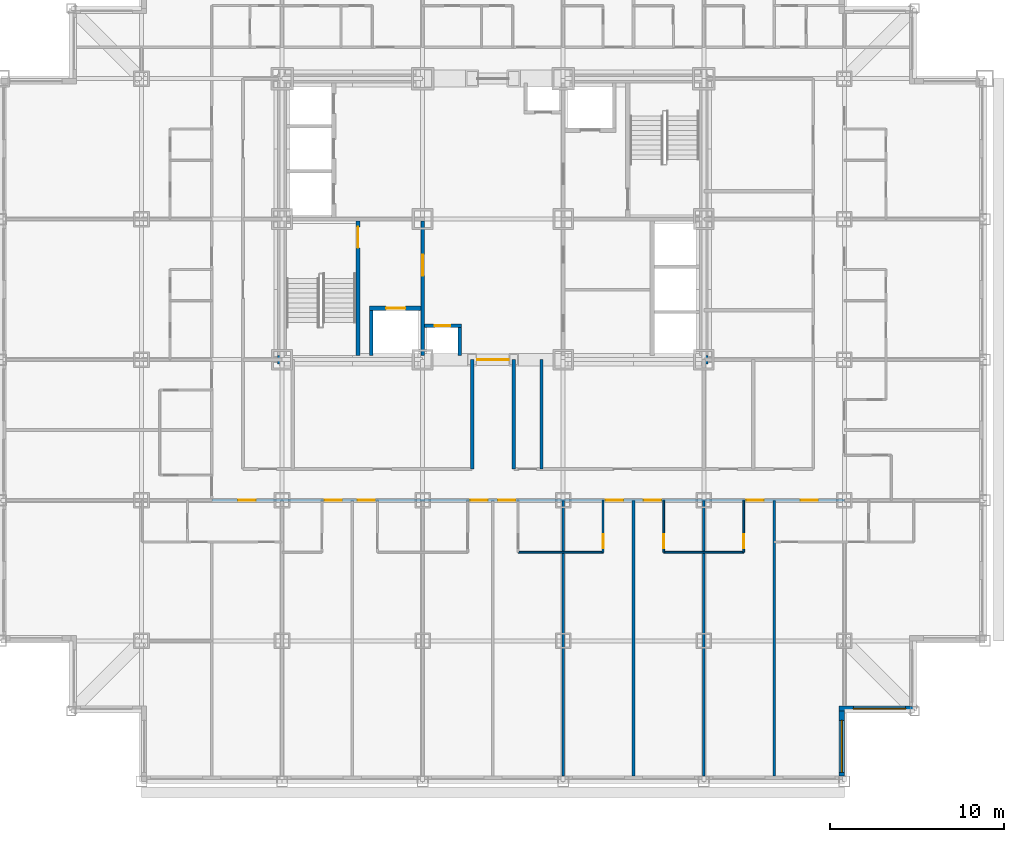
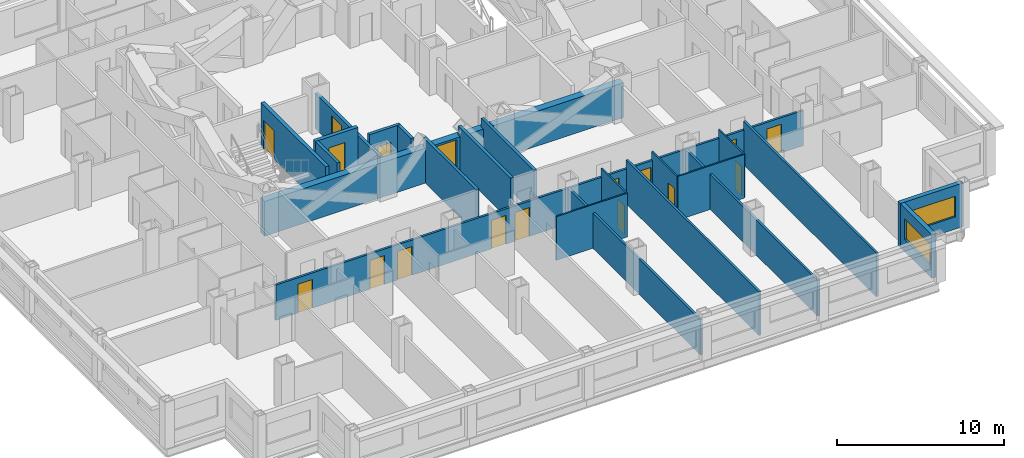
# One storey, part 5 of 11: 22 walls, 17 doors, 2 windows, 19 openings.
"""IFC4 building model written with IfcOpenShell, lengths in metres."""

from ifc_helpers import new_model, si_unit, direction, frame, frame_2d, origin, place, context, subcontext, project, spatial, rectangle, extrude, material, layer, layer_set, type_object, element, fill, save


model = new_model("IFC4")

# Units and contexts
model_context = context("Model", 3, precision=1e-05, world=origin(), true_north=direction((0.0, 1.0)))
body_context = subcontext(model_context, "Body", "Model", "MODEL_VIEW")
ifc_project = project(units=[si_unit("LENGTHUNIT", "METRE"), si_unit("AREAUNIT", "SQUARE_METRE"), si_unit("VOLUMEUNIT", "CUBIC_METRE"), si_unit("PLANEANGLEUNIT", "RADIAN"), si_unit("MASSUNIT", "GRAM", prefix="KILO")], contexts=[model_context])

# Site, building, storey
site_placement = place(None, origin())
site = spatial("IfcSite", under=ifc_project, at=site_placement, CompositionType="ELEMENT")
building_placement = place(site_placement, origin())
building = spatial("IfcBuilding", under=site, at=building_placement, Name="Kopane Lantern Tower", CompositionType="ELEMENT")
storey_placement = place(building_placement, frame((0.0, 0.0, 73.800048828125)))
storey = spatial("IfcBuildingStorey", under=building, at=storey_placement, Name="L18", CompositionType="ELEMENT", Elevation=73.800048828125)

# Wall
ifc_material_1 = material(Name="Moisture-resistant board on steel studs", Category="steel")
ifc_layer_1 = layer(ifc_material_1, 0.10009765625)
ifc_layer_set_1 = layer_set([ifc_layer_1], Name="BATHROOM WALL 100")
wall_type_1 = type_object("IfcWallType", Name="BATHROOM WALL 100", PredefinedType="PARTITIONING", material=ifc_layer_set_1)
wall_1_placement = place(storey_placement, frame((29.800048828125, 13.199951171875, 0.0), z_axis=(0.0, 0.0, 1.0), x_axis=(1.0, 0.0, 0.0)))
element("IfcWall", 1, at=wall_1_placement, inside=storey, type_object=wall_type_1, Name="Bathroom Wall 100 L18", PredefinedType="PARTITIONING", context=body_context, shape_type="SweptSolid", body=[
    extrude(rectangle(XDim=4.89990234375, YDim=0.10009765625, at=frame_2d((2.449951171875, 0.0))), origin(), (0.0, 0.0, 1.0), 3.18994140625),
])

# Wall, opening, door
wall_2_placement = place(storey_placement, frame((34.699951171875, 16.199951171875, 0.0), z_axis=(0.0, 0.0, 1.0), x_axis=(0.0, -1.0, 0.0)))
wall_2 = element("IfcWall", 2, at=wall_2_placement, inside=storey, type_object=wall_type_1, Name="Bathroom Wall 100 L18", PredefinedType="PARTITIONING", context=body_context, shape_type="SweptSolid", body=[
    extrude(rectangle(XDim=3.0, YDim=0.10009765625, at=frame_2d((1.5, 0.0))), origin(), (0.0, 0.0, 1.0), 3.18994140625),
])
opening_1_placement = place(wall_2_placement, frame((1.949951171875, 0.0, 0.0)))
opening_1 = element("IfcOpeningElement", 3, at=opening_1_placement, cuts=wall_2, Name="Opening L18-021", PredefinedType="OPENING", context=body_context, shape_type="SweptSolid", body=[
    extrude(rectangle(XDim=0.800048828125, YDim=2.10009765625, at=frame_2d((0.39990234375, 1.050048828125))), frame((0.0, 0.06005859375, 0.0), z_axis=(0.0, -1.0, 0.0), x_axis=(1.0, 0.0, 0.0)), (0.0, 0.0, 1.0), 0.1201171875),
])
ifc_material_2 = material(Name="Timber door set", Category="wood")
door_type_1 = type_object("IfcDoorType", Name="DOOR D2 800x2100", OperationType="SINGLE_SWING_LEFT", PredefinedType="DOOR", material=ifc_material_2)
door_1_placement = place(opening_1_placement, origin())
door_1 = element("IfcDoor", 4, at=door_1_placement, inside=storey, type_object=door_type_1, Name="Door L18-021", OperationType="SINGLE_SWING_LEFT", OverallHeight=2.10009765625, OverallWidth=0.800048828125, PredefinedType="DOOR", context=body_context, shape_type="SweptSolid", body=[
    extrude(rectangle(XDim=0.800048828125, YDim=2.10009765625, at=frame_2d((0.39990234375, 1.050048828125))), frame((0.0, 0.02490234375, 0.0), z_axis=(0.0, -1.0, 0.0), x_axis=(1.0, 0.0, 0.0)), (0.0, 0.0, 1.0), 0.050048828125),
])
fill(opening_1, door_1)

# Wall
wall_3_placement = place(storey_placement, frame((38.199951171875, 13.199951171875, 0.0), z_axis=(0.0, 0.0, 1.0), x_axis=(1.0, 0.0, 0.0)))
element("IfcWall", 5, at=wall_3_placement, inside=storey, type_object=wall_type_1, Name="Bathroom Wall 100 L18", PredefinedType="PARTITIONING", context=body_context, shape_type="SweptSolid", body=[
    extrude(rectangle(XDim=4.60009765625, YDim=0.10009765625, at=frame_2d((2.300048828125, 0.0))), origin(), (0.0, 0.0, 1.0), 3.18994140625),
])

# Wall, opening, door
wall_4_placement = place(storey_placement, frame((38.199951171875, 16.199951171875, 0.0), z_axis=(0.0, 0.0, 1.0), x_axis=(0.0, -1.0, 0.0)))
wall_4 = element("IfcWall", 6, at=wall_4_placement, inside=storey, type_object=wall_type_1, Name="Bathroom Wall 100 L18", PredefinedType="PARTITIONING", context=body_context, shape_type="SweptSolid", body=[
    extrude(rectangle(XDim=3.0, YDim=0.10009765625, at=frame_2d((1.5, 0.0))), origin(), (0.0, 0.0, 1.0), 3.18994140625),
])
opening_2_placement = place(wall_4_placement, frame((1.949951171875, 0.0, 0.0)))
opening_2 = element("IfcOpeningElement", 7, at=opening_2_placement, cuts=wall_4, Name="Opening L18-023", PredefinedType="OPENING", context=body_context, shape_type="SweptSolid", body=[
    extrude(rectangle(XDim=0.800048828125, YDim=2.10009765625, at=frame_2d((0.39990234375, 1.050048828125))), frame((0.0, 0.06005859375, 0.0), z_axis=(0.0, -1.0, 0.0), x_axis=(1.0, 0.0, 0.0)), (0.0, 0.0, 1.0), 0.1201171875),
])
door_2_placement = place(opening_2_placement, origin())
door_2 = element("IfcDoor", 8, at=door_2_placement, inside=storey, type_object=door_type_1, Name="Door L18-023", OperationType="SINGLE_SWING_RIGHT", OverallHeight=2.10009765625, OverallWidth=0.800048828125, PredefinedType="DOOR", context=body_context, shape_type="SweptSolid", body=[
    extrude(rectangle(XDim=0.800048828125, YDim=2.10009765625, at=frame_2d((0.39990234375, 1.050048828125))), frame((0.0, 0.02490234375, 0.0), z_axis=(0.0, -1.0, 0.0), x_axis=(1.0, 0.0, 0.0)), (0.0, 0.0, 1.0), 0.050048828125),
])
fill(opening_2, door_2)

wall_5_placement = place(storey_placement, frame((42.800048828125, 16.199951171875, 0.0), z_axis=(0.0, 0.0, 1.0), x_axis=(0.0, -1.0, 0.0)))
wall_5 = element("IfcWall", 9, at=wall_5_placement, inside=storey, type_object=wall_type_1, Name="Bathroom Wall 100 L18", PredefinedType="PARTITIONING", context=body_context, shape_type="SweptSolid", body=[
    extrude(rectangle(XDim=3.0, YDim=0.10009765625, at=frame_2d((1.5, 0.0))), origin(), (0.0, 0.0, 1.0), 3.18994140625),
])
opening_3_placement = place(wall_5_placement, frame((1.949951171875, 0.0, 0.0)))
opening_3 = element("IfcOpeningElement", 10, at=opening_3_placement, cuts=wall_5, Name="Opening L18-025", PredefinedType="OPENING", context=body_context, shape_type="SweptSolid", body=[
    extrude(rectangle(XDim=0.800048828125, YDim=2.10009765625, at=frame_2d((0.39990234375, 1.050048828125))), frame((0.0, 0.06005859375, 0.0), z_axis=(0.0, -1.0, 0.0), x_axis=(1.0, 0.0, 0.0)), (0.0, 0.0, 1.0), 0.1201171875),
])
door_3_placement = place(opening_3_placement, origin())
door_3 = element("IfcDoor", 11, at=door_3_placement, inside=storey, type_object=door_type_1, Name="Door L18-025", OperationType="SINGLE_SWING_LEFT", OverallHeight=2.10009765625, OverallWidth=0.800048828125, PredefinedType="DOOR", context=body_context, shape_type="SweptSolid", body=[
    extrude(rectangle(XDim=0.800048828125, YDim=2.10009765625, at=frame_2d((0.39990234375, 1.050048828125))), frame((0.0, 0.02490234375, 0.0), z_axis=(0.0, -1.0, 0.0), x_axis=(1.0, 0.0, 0.0)), (0.0, 0.0, 1.0), 0.050048828125),
])
fill(opening_3, door_3)

ifc_material_3 = material(Name="Gypsum shaft wall EI 120", Category="gypsum")
ifc_layer_2 = layer(ifc_material_3, 0.5)
ifc_layer_set_2 = layer_set([ifc_layer_2], Name="CORE PERIMETER WALL 500 EI 120")
wall_type_2 = type_object("IfcWallType", Name="CORE PERIMETER WALL 500 EI 120", PredefinedType="SOLIDWALL", material=ifc_layer_set_2)
wall_6_placement = place(storey_placement, frame((15.949951171875, 24.300048828125, 0.0), z_axis=(0.0, 0.0, 1.0), x_axis=(1.0, 0.0, 0.0)))
wall_6 = element("IfcWall", 12, at=wall_6_placement, inside=storey, type_object=wall_type_2, Name="Core shaft wall L18 PS", PredefinedType="SOLIDWALL", context=body_context, shape_type="SweptSolid", body=[
    extrude(rectangle(XDim=24.800048828125, YDim=0.5, at=frame_2d((12.39990234375, 0.0))), origin(), (0.0, 0.0, 1.0), 2.5400390625),
])
opening_4_placement = place(wall_6_placement, frame((11.5, 0.0, 0.0)))
opening_4 = element("IfcOpeningElement", 13, at=opening_4_placement, cuts=wall_6, Name="Opening 18.CE-S", PredefinedType="OPENING", context=body_context, shape_type="SweptSolid", body=[
    extrude(rectangle(XDim=1.800048828125, YDim=2.39990234375, at=frame_2d((0.89990234375, 1.199951171875))), frame((0.0, 0.260009765625, 0.0), z_axis=(0.0, -1.0, 0.0), x_axis=(1.0, 0.0, 0.0)), (0.0, 0.0, 1.0), 0.52001953125),
])
ifc_material_4 = material(Name="Steel door set", Category="steel")
door_type_2 = type_object("IfcDoorType", Name="CORE ENTRY DOOR 1800x2400 FD60S", OperationType="DOUBLE_DOOR_SINGLE_SWING", PredefinedType="DOOR", material=ifc_material_4)
door_4_placement = place(opening_4_placement, origin())
door_4 = element("IfcDoor", 14, at=door_4_placement, inside=storey, type_object=door_type_2, Name="Core entry door L18 south", OperationType="DOUBLE_DOOR_SINGLE_SWING", OverallHeight=2.39990234375, OverallWidth=1.800048828125, PredefinedType="DOOR", context=body_context, shape_type="SweptSolid", body=[
    extrude(rectangle(XDim=1.800048828125, YDim=2.39990234375, at=frame_2d((0.89990234375, 1.199951171875))), frame((0.0, 0.02490234375, 0.0), z_axis=(0.0, -1.0, 0.0), x_axis=(1.0, 0.0, 0.0)), (0.0, 0.0, 1.0), 0.050048828125),
])
fill(opening_4, door_4)

ifc_material_5 = material(Name="Gypsum shaft wall EI 120", Category="gypsum")
ifc_layer_3 = layer(ifc_material_5, 0.25)
ifc_layer_set_3 = layer_set([ifc_layer_3], Name="CORE SHAFT WALL 250 EI 120")
wall_type_3 = type_object("IfcWallType", Name="CORE SHAFT WALL 250 EI 120", PredefinedType="SOLIDWALL", material=ifc_layer_set_3)
wall_7_placement = place(storey_placement, frame((20.574951171875, 24.550048828125, 0.0), z_axis=(0.0, 0.0, 1.0), x_axis=(0.0, 1.0, 0.0)))
wall_7 = element("IfcWall", 15, at=wall_7_placement, inside=storey, type_object=wall_type_3, Name="Core shaft wall L18 XST1", PredefinedType="SOLIDWALL", context=body_context, shape_type="SweptSolid", body=[
    extrude(rectangle(XDim=7.75, YDim=0.25, at=frame_2d((3.875, 0.0))), origin(), (0.0, 0.0, 1.0), 3.18994140625),
])
opening_5_placement = place(wall_7_placement, frame((6.199951171875, 0.0, 0.0)))
opening_5 = element("IfcOpeningElement", 16, at=opening_5_placement, cuts=wall_7, Name="Opening 18.SD1", PredefinedType="OPENING", context=body_context, shape_type="SweptSolid", body=[
    extrude(rectangle(XDim=1.199951171875, YDim=2.10009765625, at=frame_2d((0.60009765625, 1.050048828125))), frame((0.0, 0.135009765625, 0.0), z_axis=(0.0, -1.0, 0.0), x_axis=(1.0, 0.0, 0.0)), (0.0, 0.0, 1.0), 0.27001953125),
])
ifc_material_6 = material(Name="Steel door set", Category="steel")
door_type_3 = type_object("IfcDoorType", Name="STAIR DOOR 1200x2100 FD60S", OperationType="SINGLE_SWING_LEFT", PredefinedType="DOOR", material=ifc_material_6)
door_5_placement = place(opening_5_placement, origin())
door_5 = element("IfcDoor", 17, at=door_5_placement, inside=storey, type_object=door_type_3, Name="Stair door ST1 L18", OperationType="SINGLE_SWING_LEFT", OverallHeight=2.10009765625, OverallWidth=1.199951171875, PredefinedType="DOOR", context=body_context, shape_type="SweptSolid", body=[
    extrude(rectangle(XDim=1.199951171875, YDim=2.10009765625, at=frame_2d((0.60009765625, 1.050048828125))), frame((0.0, 0.02490234375, 0.0), z_axis=(0.0, -1.0, 0.0), x_axis=(1.0, 0.0, 0.0)), (0.0, 0.0, 1.0), 0.050048828125),
])
fill(opening_5, door_5)

wall_8_placement = place(storey_placement, frame((21.25, 27.27490234375, 0.0), z_axis=(0.0, 0.0, 1.0), x_axis=(1.0, 0.0, 0.0)))
wall_8 = element("IfcWall", 18, at=wall_8_placement, inside=storey, type_object=wall_type_3, Name="Core shaft wall L18 YLF1", PredefinedType="SOLIDWALL", context=body_context, shape_type="SweptSolid", body=[
    extrude(rectangle(XDim=2.949951171875, YDim=0.25, at=frame_2d((1.47509765625, 0.0))), origin(), (0.0, 0.0, 1.0), 3.18994140625),
])
opening_6_placement = place(wall_8_placement, frame((0.949951171875, 0.0, 0.0)))
opening_6 = element("IfcOpeningElement", 19, at=opening_6_placement, cuts=wall_8, Name="Opening 18.LD-LF1", PredefinedType="OPENING", context=body_context, shape_type="SweptSolid", body=[
    extrude(rectangle(XDim=1.10009765625, YDim=2.39990234375, at=frame_2d((0.550048828125, 1.199951171875))), frame((0.0, 0.135009765625, 0.0), z_axis=(0.0, -1.0, 0.0), x_axis=(1.0, 0.0, 0.0)), (0.0, 0.0, 1.0), 0.27001953125),
])
ifc_material_7 = material(Name="Steel door set", Category="steel")
door_type_4 = type_object("IfcDoorType", Name="LIFT LANDING DOOR 1100x2400 FD60", OperationType="DOUBLE_DOOR_SLIDING", PredefinedType="DOOR", material=ifc_material_7)
door_6_placement = place(opening_6_placement, origin())
door_6 = element("IfcDoor", 20, at=door_6_placement, inside=storey, type_object=door_type_4, Name="Landing door LF1 L18", OperationType="DOUBLE_DOOR_SLIDING", OverallHeight=2.39990234375, OverallWidth=1.10009765625, PredefinedType="DOOR", context=body_context, shape_type="SweptSolid", body=[
    extrude(rectangle(XDim=1.10009765625, YDim=2.39990234375, at=frame_2d((0.550048828125, 1.199951171875))), frame((0.0, 0.02490234375, 0.0), z_axis=(0.0, -1.0, 0.0), x_axis=(1.0, 0.0, 0.0)), (0.0, 0.0, 1.0), 0.050048828125),
])
fill(opening_6, door_6)

# Wall, openings, doors
ifc_material_8 = material(Name="Gypsum board on steel studs", Category="steel")
ifc_layer_4 = layer(ifc_material_8, 0.14990234375)
ifc_layer_set_4 = layer_set([ifc_layer_4], Name="CORRIDOR WALL 150 EI 60")
wall_type_4 = type_object("IfcWallType", Name="CORRIDOR WALL 150 EI 60", PredefinedType="PARTITIONING", material=ifc_layer_set_4)
wall_9_placement = place(storey_placement, frame((12.14990234375, 16.199951171875, 0.0), z_axis=(0.0, 0.0, 1.0), x_axis=(1.0, 0.0, 0.0)))
wall_9 = element("IfcWall", 21, at=wall_9_placement, inside=storey, type_object=wall_type_4, Name="Corridor Wall 150 Ei 60 L18", PredefinedType="PARTITIONING", context=body_context, shape_type="SweptSolid", body=[
    extrude(rectangle(XDim=36.4501953125, YDim=0.14990234375, at=frame_2d((18.22509765625, 0.0))), origin(), (0.0, 0.0, 1.0), 2.57763671875),
])
opening_7_placement = place(wall_9_placement, frame((6.5, 0.0, 0.0)))
opening_7 = element("IfcOpeningElement", 22, at=opening_7_placement, cuts=wall_9, Name="Opening L18-014", PredefinedType="OPENING", context=body_context, shape_type="SweptSolid", body=[
    extrude(rectangle(XDim=1.0, YDim=2.10009765625, at=frame_2d((0.5, 1.050048828125))), frame((0.0, 0.0849609375, 0.0), z_axis=(0.0, -1.0, 0.0), x_axis=(1.0, 0.0, 0.0)), (0.0, 0.0, 1.0), 0.169921875),
])
opening_8_placement = place(wall_9_placement, frame((8.39990234375, 0.0, 0.0)))
opening_8 = element("IfcOpeningElement", 23, at=opening_8_placement, cuts=wall_9, Name="Opening L18-016", PredefinedType="OPENING", context=body_context, shape_type="SweptSolid", body=[
    extrude(rectangle(XDim=1.0, YDim=2.10009765625, at=frame_2d((0.5, 1.050048828125))), frame((0.0, 0.0849609375, 0.0), z_axis=(0.0, -1.0, 0.0), x_axis=(1.0, 0.0, 0.0)), (0.0, 0.0, 1.0), 0.169921875),
])
opening_9_placement = place(wall_9_placement, frame((14.89990234375, 0.0, 0.0)))
opening_9 = element("IfcOpeningElement", 24, at=opening_9_placement, cuts=wall_9, Name="Opening L18-018", PredefinedType="OPENING", context=body_context, shape_type="SweptSolid", body=[
    extrude(rectangle(XDim=1.0, YDim=2.10009765625, at=frame_2d((0.5, 1.050048828125))), frame((0.0, 0.0849609375, 0.0), z_axis=(0.0, -1.0, 0.0), x_axis=(1.0, 0.0, 0.0)), (0.0, 0.0, 1.0), 0.169921875),
])
opening_10_placement = place(wall_9_placement, frame((16.5, 0.0, 0.0)))
opening_10 = element("IfcOpeningElement", 25, at=opening_10_placement, cuts=wall_9, Name="Opening L18-020", PredefinedType="OPENING", context=body_context, shape_type="SweptSolid", body=[
    extrude(rectangle(XDim=1.0, YDim=2.10009765625, at=frame_2d((0.5, 1.050048828125))), frame((0.0, 0.0849609375, 0.0), z_axis=(0.0, -1.0, 0.0), x_axis=(1.0, 0.0, 0.0)), (0.0, 0.0, 1.0), 0.169921875),
])
opening_11_placement = place(wall_9_placement, frame((22.699951171875, 0.0, 0.0)))
opening_11 = element("IfcOpeningElement", 26, at=opening_11_placement, cuts=wall_9, Name="Opening L18-022", PredefinedType="OPENING", context=body_context, shape_type="SweptSolid", body=[
    extrude(rectangle(XDim=1.0, YDim=2.10009765625, at=frame_2d((0.5, 1.050048828125))), frame((0.0, 0.0849609375, 0.0), z_axis=(0.0, -1.0, 0.0), x_axis=(1.0, 0.0, 0.0)), (0.0, 0.0, 1.0), 0.169921875),
])
opening_12_placement = place(wall_9_placement, frame((24.89990234375, 0.0, 0.0)))
opening_12 = element("IfcOpeningElement", 27, at=opening_12_placement, cuts=wall_9, Name="Opening L18-024", PredefinedType="OPENING", context=body_context, shape_type="SweptSolid", body=[
    extrude(rectangle(XDim=1.0, YDim=2.10009765625, at=frame_2d((0.5, 1.050048828125))), frame((0.0, 0.0849609375, 0.0), z_axis=(0.0, -1.0, 0.0), x_axis=(1.0, 0.0, 0.0)), (0.0, 0.0, 1.0), 0.169921875),
])
opening_13_placement = place(wall_9_placement, frame((30.800048828125, 0.0, 0.0)))
opening_13 = element("IfcOpeningElement", 28, at=opening_13_placement, cuts=wall_9, Name="Opening L18-026", PredefinedType="OPENING", context=body_context, shape_type="SweptSolid", body=[
    extrude(rectangle(XDim=1.0, YDim=2.10009765625, at=frame_2d((0.5, 1.050048828125))), frame((0.0, 0.0849609375, 0.0), z_axis=(0.0, -1.0, 0.0), x_axis=(1.0, 0.0, 0.0)), (0.0, 0.0, 1.0), 0.169921875),
])
opening_14_placement = place(wall_9_placement, frame((1.52490234375, 0.0, 0.0)))
opening_14 = element("IfcOpeningElement", 29, at=opening_14_placement, cuts=wall_9, Name="Opening L18-059", PredefinedType="OPENING", context=body_context, shape_type="SweptSolid", body=[
    extrude(rectangle(XDim=1.0, YDim=2.10009765625, at=frame_2d((0.5, 1.050048828125))), frame((0.0, 0.0849609375, 0.0), z_axis=(0.0, -1.0, 0.0), x_axis=(1.0, 0.0, 0.0)), (0.0, 0.0, 1.0), 0.169921875),
])
opening_15_placement = place(wall_9_placement, frame((33.925048828125, 0.0, 0.0)))
opening_15 = element("IfcOpeningElement", 30, at=opening_15_placement, cuts=wall_9, Name="Opening L18-063", PredefinedType="OPENING", context=body_context, shape_type="SweptSolid", body=[
    extrude(rectangle(XDim=1.0, YDim=2.10009765625, at=frame_2d((0.5, 1.050048828125))), frame((0.0, 0.0849609375, 0.0), z_axis=(0.0, -1.0, 0.0), x_axis=(1.0, 0.0, 0.0)), (0.0, 0.0, 1.0), 0.169921875),
])
ifc_material_9 = material(Name="Steel door set", Category="steel")
door_type_5 = type_object("IfcDoorType", Name="DOOR D1 1000x2100 FD30S", OperationType="SINGLE_SWING_LEFT", PredefinedType="DOOR", material=ifc_material_9)
door_7_placement = place(opening_7_placement, origin())
door_7 = element("IfcDoor", 31, at=door_7_placement, inside=storey, type_object=door_type_5, Name="Door L18-014", OperationType="SINGLE_SWING_RIGHT", OverallHeight=2.10009765625, OverallWidth=1.0, PredefinedType="DOOR", context=body_context, shape_type="SweptSolid", body=[
    extrude(rectangle(XDim=1.0, YDim=2.10009765625, at=frame_2d((0.5, 1.050048828125))), frame((0.0, 0.02490234375, 0.0), z_axis=(0.0, -1.0, 0.0), x_axis=(1.0, 0.0, 0.0)), (0.0, 0.0, 1.0), 0.050048828125),
])
fill(opening_7, door_7)
door_8_placement = place(opening_8_placement, origin())
door_8 = element("IfcDoor", 32, at=door_8_placement, inside=storey, type_object=door_type_5, Name="Door L18-016", OperationType="SINGLE_SWING_LEFT", OverallHeight=2.10009765625, OverallWidth=1.0, PredefinedType="DOOR", context=body_context, shape_type="SweptSolid", body=[
    extrude(rectangle(XDim=1.0, YDim=2.10009765625, at=frame_2d((0.5, 1.050048828125))), frame((0.0, 0.02490234375, 0.0), z_axis=(0.0, -1.0, 0.0), x_axis=(1.0, 0.0, 0.0)), (0.0, 0.0, 1.0), 0.050048828125),
])
fill(opening_8, door_8)
door_9_placement = place(opening_9_placement, origin())
door_9 = element("IfcDoor", 33, at=door_9_placement, inside=storey, type_object=door_type_5, Name="Door L18-018", OperationType="SINGLE_SWING_RIGHT", OverallHeight=2.10009765625, OverallWidth=1.0, PredefinedType="DOOR", context=body_context, shape_type="SweptSolid", body=[
    extrude(rectangle(XDim=1.0, YDim=2.10009765625, at=frame_2d((0.5, 1.050048828125))), frame((0.0, 0.02490234375, 0.0), z_axis=(0.0, -1.0, 0.0), x_axis=(1.0, 0.0, 0.0)), (0.0, 0.0, 1.0), 0.050048828125),
])
fill(opening_9, door_9)
door_10_placement = place(opening_10_placement, origin())
door_10 = element("IfcDoor", 34, at=door_10_placement, inside=storey, type_object=door_type_5, Name="Door L18-020", OperationType="SINGLE_SWING_LEFT", OverallHeight=2.10009765625, OverallWidth=1.0, PredefinedType="DOOR", context=body_context, shape_type="SweptSolid", body=[
    extrude(rectangle(XDim=1.0, YDim=2.10009765625, at=frame_2d((0.5, 1.050048828125))), frame((0.0, 0.02490234375, 0.0), z_axis=(0.0, -1.0, 0.0), x_axis=(1.0, 0.0, 0.0)), (0.0, 0.0, 1.0), 0.050048828125),
])
fill(opening_10, door_10)
door_11_placement = place(opening_11_placement, origin())
door_11 = element("IfcDoor", 35, at=door_11_placement, inside=storey, type_object=door_type_5, Name="Door L18-022", OperationType="SINGLE_SWING_RIGHT", OverallHeight=2.10009765625, OverallWidth=1.0, PredefinedType="DOOR", context=body_context, shape_type="SweptSolid", body=[
    extrude(rectangle(XDim=1.0, YDim=2.10009765625, at=frame_2d((0.5, 1.050048828125))), frame((0.0, 0.02490234375, 0.0), z_axis=(0.0, -1.0, 0.0), x_axis=(1.0, 0.0, 0.0)), (0.0, 0.0, 1.0), 0.050048828125),
])
fill(opening_11, door_11)
door_12_placement = place(opening_12_placement, origin())
door_12 = element("IfcDoor", 36, at=door_12_placement, inside=storey, type_object=door_type_5, Name="Door L18-024", OperationType="SINGLE_SWING_LEFT", OverallHeight=2.10009765625, OverallWidth=1.0, PredefinedType="DOOR", context=body_context, shape_type="SweptSolid", body=[
    extrude(rectangle(XDim=1.0, YDim=2.10009765625, at=frame_2d((0.5, 1.050048828125))), frame((0.0, 0.02490234375, 0.0), z_axis=(0.0, -1.0, 0.0), x_axis=(1.0, 0.0, 0.0)), (0.0, 0.0, 1.0), 0.050048828125),
])
fill(opening_12, door_12)
door_13_placement = place(opening_13_placement, origin())
door_13 = element("IfcDoor", 37, at=door_13_placement, inside=storey, type_object=door_type_5, Name="Door L18-026", OperationType="SINGLE_SWING_RIGHT", OverallHeight=2.10009765625, OverallWidth=1.0, PredefinedType="DOOR", context=body_context, shape_type="SweptSolid", body=[
    extrude(rectangle(XDim=1.0, YDim=2.10009765625, at=frame_2d((0.5, 1.050048828125))), frame((0.0, 0.02490234375, 0.0), z_axis=(0.0, -1.0, 0.0), x_axis=(1.0, 0.0, 0.0)), (0.0, 0.0, 1.0), 0.050048828125),
])
fill(opening_13, door_13)
door_14_placement = place(opening_14_placement, origin())
door_14 = element("IfcDoor", 38, at=door_14_placement, inside=storey, type_object=door_type_5, Name="Door L18-059", OperationType="SINGLE_SWING_LEFT", OverallHeight=2.10009765625, OverallWidth=1.0, PredefinedType="DOOR", context=body_context, shape_type="SweptSolid", body=[
    extrude(rectangle(XDim=1.0, YDim=2.10009765625, at=frame_2d((0.5, 1.050048828125))), frame((0.0, 0.02490234375, 0.0), z_axis=(0.0, -1.0, 0.0), x_axis=(1.0, 0.0, 0.0)), (0.0, 0.0, 1.0), 0.050048828125),
])
fill(opening_14, door_14)
door_15_placement = place(opening_15_placement, origin())
door_15 = element("IfcDoor", 39, at=door_15_placement, inside=storey, type_object=door_type_5, Name="Door L18-063", OperationType="SINGLE_SWING_RIGHT", OverallHeight=2.10009765625, OverallWidth=1.0, PredefinedType="DOOR", context=body_context, shape_type="SweptSolid", body=[
    extrude(rectangle(XDim=1.0, YDim=2.10009765625, at=frame_2d((0.5, 1.050048828125))), frame((0.0, 0.02490234375, 0.0), z_axis=(0.0, -1.0, 0.0), x_axis=(1.0, 0.0, 0.0)), (0.0, 0.0, 1.0), 0.050048828125),
])
fill(opening_15, door_15)

# Walls
ifc_material_10 = material(Name="Gypsum board on steel studs", Category="steel")
ifc_layer_5 = layer(ifc_material_10, 0.14990234375)
ifc_layer_set_5 = layer_set([ifc_layer_5], Name="DEMISING WALL 150 EI 60")
wall_type_5 = type_object("IfcWallType", Name="DEMISING WALL 150 EI 60", PredefinedType="PARTITIONING", material=ifc_layer_set_5)
wall_10_placement = place(storey_placement, frame((32.39990234375, 16.199951171875, 0.0), z_axis=(0.0, 0.0, 1.0), x_axis=(0.0, -1.0, 0.0)))
element("IfcWall", 40, at=wall_10_placement, inside=storey, type_object=wall_type_5, Name="Demising Wall 150 Ei 60 L18", PredefinedType="PARTITIONING", context=body_context, shape_type="SweptSolid", body=[
    extrude(rectangle(XDim=15.89990234375, YDim=0.14990234375, at=frame_2d((7.949951171875, 0.0))), origin(), (0.0, 0.0, 1.0), 2.57763671875),
])
wall_11_placement = place(storey_placement, frame((36.449951171875, 16.199951171875, 0.0), z_axis=(0.0, 0.0, 1.0), x_axis=(0.0, -1.0, 0.0)))
element("IfcWall", 41, at=wall_11_placement, inside=storey, type_object=wall_type_5, Name="Demising Wall 150 Ei 60 L18", PredefinedType="PARTITIONING", context=body_context, shape_type="SweptSolid", body=[
    extrude(rectangle(XDim=15.89990234375, YDim=0.14990234375, at=frame_2d((7.949951171875, 0.0))), origin(), (0.0, 0.0, 1.0), 3.18994140625),
])
wall_12_placement = place(storey_placement, frame((40.5, 16.199951171875, 0.0), z_axis=(0.0, 0.0, 1.0), x_axis=(0.0, -1.0, 0.0)))
element("IfcWall", 42, at=wall_12_placement, inside=storey, type_object=wall_type_5, Name="Demising Wall 150 Ei 60 L18", PredefinedType="PARTITIONING", context=body_context, shape_type="SweptSolid", body=[
    extrude(rectangle(XDim=15.89990234375, YDim=0.14990234375, at=frame_2d((7.949951171875, 0.0))), origin(), (0.0, 0.0, 1.0), 2.57763671875),
])
wall_13_placement = place(storey_placement, frame((44.550048828125, 16.199951171875, 0.0), z_axis=(0.0, 0.0, 1.0), x_axis=(0.0, -1.0, 0.0)))
element("IfcWall", 43, at=wall_13_placement, inside=storey, type_object=wall_type_5, Name="Demising Wall 150 Ei 60 L18", PredefinedType="PARTITIONING", context=body_context, shape_type="SweptSolid", body=[
    extrude(rectangle(XDim=15.89990234375, YDim=0.14990234375, at=frame_2d((7.949951171875, 0.0))), origin(), (0.0, 0.0, 1.0), 3.18994140625),
])

# Wall, opening, window
ifc_material_11 = material(Name="Terracotta rainscreen on light steel framing", Category="masonry")
ifc_layer_6 = layer(ifc_material_11, 0.300048828125)
ifc_layer_set_6 = layer_set([ifc_layer_6], Name="EXTERNAL WALL EW1 300 TERRACOTTA")
wall_type_6 = type_object("IfcWallType", Name="EXTERNAL WALL EW1 300 TERRACOTTA", PredefinedType="SOLIDWALL", material=ifc_layer_set_6)
wall_14_placement = place(storey_placement, frame((48.449951171875, 0.300048828125, 0.0), z_axis=(0.0, 0.0, 1.0), x_axis=(0.0, 1.0, 0.0)))
wall_14 = element("IfcWall", 44, at=wall_14_placement, inside=storey, type_object=wall_type_6, Name="External wall E L18", PredefinedType="SOLIDWALL", context=body_context, shape_type="SweptSolid", body=[
    extrude(rectangle(XDim=3.75, YDim=0.300048828125, at=frame_2d((1.875, 0.0))), origin(), (0.0, 0.0, 1.0), 3.18994140625),
])
opening_16_placement = place(wall_14_placement, frame((0.22509765625, 0.0, 0.89990234375)))
opening_16 = element("IfcOpeningElement", 45, at=opening_16_placement, cuts=wall_14, Name="Opening WR300150", PredefinedType="OPENING", context=body_context, shape_type="SweptSolid", body=[
    extrude(rectangle(XDim=3.0, YDim=1.5, at=frame_2d((1.5, 0.75))), frame((0.0, 0.159912109375, 0.0), z_axis=(0.0, -1.0, 0.0), x_axis=(1.0, 0.0, 0.0)), (0.0, 0.0, 1.0), 0.320068359375),
])
ifc_material_12 = material(Name="Aluminium and clear glass", Category="aluminium")
window_type = type_object("IfcWindowType", Name="RIBBON WINDOW WR300150 3000x1500", PartitioningType="SINGLE_PANEL", PredefinedType="WINDOW", material=ifc_material_12)
window_1_placement = place(opening_16_placement, origin())
window_1 = element("IfcWindow", 46, at=window_1_placement, inside=storey, type_object=window_type, Name="Window E L18", OverallHeight=1.5, OverallWidth=3.0, PartitioningType="SINGLE_PANEL", PredefinedType="WINDOW", context=body_context, shape_type="SweptSolid", body=[
    extrude(rectangle(XDim=3.0, YDim=1.5, at=frame_2d((1.5, 0.75))), frame((0.0, 0.030029296875, 0.0), z_axis=(0.0, -1.0, 0.0), x_axis=(1.0, 0.0, 0.0)), (0.0, 0.0, 1.0), 0.06005859375),
])
fill(opening_16, window_1)

wall_15_placement = place(storey_placement, frame((48.300048828125, 4.199951171875, 0.0), z_axis=(0.0, 0.0, 1.0), x_axis=(1.0, 0.0, 0.0)))
wall_15 = element("IfcWall", 47, at=wall_15_placement, inside=storey, type_object=wall_type_6, Name="External wall S L18", PredefinedType="SOLIDWALL", context=body_context, shape_type="SweptSolid", body=[
    extrude(rectangle(XDim=4.349853515625, YDim=0.300048828125, at=frame_2d((2.1748046875, 0.0))), origin(), (0.0, 0.0, 1.0), 3.18994140625),
])
opening_17_placement = place(wall_15_placement, frame((0.824951171875, 0.0, 0.89990234375)))
opening_17 = element("IfcOpeningElement", 48, at=opening_17_placement, cuts=wall_15, Name="Opening WR300150", PredefinedType="OPENING", context=body_context, shape_type="SweptSolid", body=[
    extrude(rectangle(XDim=3.0, YDim=1.5, at=frame_2d((1.5, 0.75))), frame((0.0, 0.159912109375, 0.0), z_axis=(0.0, -1.0, 0.0), x_axis=(1.0, 0.0, 0.0)), (0.0, 0.0, 1.0), 0.320068359375),
])
window_2_placement = place(opening_17_placement, origin())
window_2 = element("IfcWindow", 49, at=window_2_placement, inside=storey, type_object=window_type, Name="Window S L18", OverallHeight=1.5, OverallWidth=3.0, PartitioningType="SINGLE_PANEL", PredefinedType="WINDOW", context=body_context, shape_type="SweptSolid", body=[
    extrude(rectangle(XDim=3.0, YDim=1.5, at=frame_2d((1.5, 0.75))), frame((0.0, 0.030029296875, 0.0), z_axis=(0.0, -1.0, 0.0), x_axis=(1.0, 0.0, 0.0)), (0.0, 0.0, 1.0), 0.06005859375),
])
fill(opening_17, window_2)

# Walls
ifc_material_13 = material(Name="Concrete masonry", Category="masonry")
ifc_layer_7 = layer(ifc_material_13, 0.199951171875)
ifc_layer_set_7 = layer_set([ifc_layer_7], Name="PLANT ROOM WALL 200 EI 120")
wall_type_7 = type_object("IfcWallType", Name="PLANT ROOM WALL 200 EI 120", PredefinedType="SOLIDWALL", material=ifc_layer_set_7)
for number, where, z_axis, x_axis, name in (
    (50, (31.14990234375, 18.0, 0.0), (0.0, 0.0, 1.0), (0.0, 1.0, 0.0), "Plant Room Wall 200 Ei 120 L18"),
    (51, (27.14990234375, 18.0, 0.0), (0.0, 0.0, 1.0), (0.0, 1.0, 0.0), "Plant Room Wall 200 Ei 120 L18"),
    (52, (29.550048828125, 18.0, 0.0), (0.0, 0.0, 1.0), (0.0, 1.0, 0.0), "Plant Room Wall 200 Ei 120 L18"),
):
    element("IfcWall", number, at=place(storey_placement, frame(where, z_axis=z_axis, x_axis=x_axis)), inside=storey, type_object=wall_type_7, Name=name, PredefinedType="SOLIDWALL", context=body_context, shape_type="SweptSolid", body=[
        extrude(rectangle(XDim=6.300048828125, YDim=0.199951171875, at=frame_2d((3.14990234375, 0.0))), origin(), (0.0, 0.0, 1.0), 3.18994140625),
    ])

# Wall, opening, door
ifc_material_14 = material(Name="Gypsum shaft wall EI 120", Category="gypsum")
ifc_layer_8 = layer(ifc_material_14, 0.199951171875)
ifc_layer_set_8 = layer_set([ifc_layer_8], Name="SHAFT WALL 200 EI 120")
wall_type_8 = type_object("IfcWallType", Name="SHAFT WALL 200 EI 120", PredefinedType="SOLIDWALL", material=ifc_layer_set_8)
wall_16_placement = place(storey_placement, frame((24.300048828125, 24.550048828125, 0.0), z_axis=(0.0, 0.0, 1.0), x_axis=(0.0, 1.0, 0.0)))
wall_16 = element("IfcWall", 53, at=wall_16_placement, inside=storey, type_object=wall_type_8, Name="Core shaft wall L18 X243", PredefinedType="SOLIDWALL", context=body_context, shape_type="SweptSolid", body=[
    extrude(rectangle(XDim=7.75, YDim=0.199951171875, at=frame_2d((3.875, 0.0))), origin(), (0.0, 0.0, 1.0), 2.57763671875),
])
opening_18_placement = place(wall_16_placement, frame((4.60009765625, 0.0, 0.0)))
opening_18 = element("IfcOpeningElement", 54, at=opening_18_placement, cuts=wall_16, Name="Opening 18.FL1", PredefinedType="OPENING", context=body_context, shape_type="SweptSolid", body=[
    extrude(rectangle(XDim=1.199951171875, YDim=2.10009765625, at=frame_2d((0.60009765625, 1.050048828125))), frame((0.0, 0.10986328125, 0.0), z_axis=(0.0, -1.0, 0.0), x_axis=(1.0, 0.0, 0.0)), (0.0, 0.0, 1.0), 0.219970703125),
])
ifc_material_15 = material(Name="Steel door set", Category="steel")
door_type_6 = type_object("IfcDoorType", Name="FIREFIGHTING LOBBY DOOR 1200x2100 FD60S", OperationType="SINGLE_SWING_RIGHT", PredefinedType="DOOR", material=ifc_material_15)
door_16_placement = place(opening_18_placement, origin())
door_16 = element("IfcDoor", 55, at=door_16_placement, inside=storey, type_object=door_type_6, Name="Firefighting lobby door FL1 L18", OperationType="SINGLE_SWING_LEFT", OverallHeight=2.10009765625, OverallWidth=1.199951171875, PredefinedType="DOOR", context=body_context, shape_type="SweptSolid", body=[
    extrude(rectangle(XDim=1.199951171875, YDim=2.10009765625, at=frame_2d((0.60009765625, 1.050048828125))), frame((0.0, 0.02490234375, 0.0), z_axis=(0.0, -1.0, 0.0), x_axis=(1.0, 0.0, 0.0)), (0.0, 0.0, 1.0), 0.050048828125),
])
fill(opening_18, door_16)

# Walls
wall_17_placement = place(storey_placement, frame((21.35009765625, 24.550048828125, 0.0), z_axis=(0.0, 0.0, 1.0), x_axis=(0.0, 1.0, 0.0)))
element("IfcWall", 56, at=wall_17_placement, inside=storey, type_object=wall_type_8, Name="Core shaft wall L18 XLF1", PredefinedType="SOLIDWALL", context=body_context, shape_type="SweptSolid", body=[
    extrude(rectangle(XDim=2.599853515625, YDim=0.199951171875, at=frame_2d((1.2998046875, 0.0))), origin(), (0.0, 0.0, 1.0), 3.18994140625),
])
wall_18_placement = place(storey_placement, frame((26.449951171875, 24.550048828125, 0.0), z_axis=(0.0, 0.0, 1.0), x_axis=(0.0, 1.0, 0.0)))
element("IfcWall", 57, at=wall_18_placement, inside=storey, type_object=wall_type_8, Name="Core shaft wall L18 XRS1", PredefinedType="SOLIDWALL", context=body_context, shape_type="SweptSolid", body=[
    extrude(rectangle(XDim=1.599853515625, YDim=0.199951171875, at=frame_2d((0.7998046875, 0.0))), origin(), (0.0, 0.0, 1.0), 3.18994140625),
])

# Wall, opening, door
wall_19_placement = place(storey_placement, frame((24.39990234375, 26.25, 0.0), z_axis=(0.0, 0.0, 1.0), x_axis=(1.0, 0.0, 0.0)))
wall_19 = element("IfcWall", 58, at=wall_19_placement, inside=storey, type_object=wall_type_8, Name="Core shaft wall L18 YRS1", PredefinedType="SOLIDWALL", context=body_context, shape_type="SweptSolid", body=[
    extrude(rectangle(XDim=2.150146484375, YDim=0.199951171875, at=frame_2d((1.0751953125, 0.0))), origin(), (0.0, 0.0, 1.0), 3.18994140625),
])
opening_19_placement = place(wall_19_placement, frame((0.60009765625, 0.0, 0.0)))
opening_19 = element("IfcOpeningElement", 59, at=opening_19_placement, cuts=wall_19, Name="Opening 18.RS1", PredefinedType="OPENING", context=body_context, shape_type="SweptSolid", body=[
    extrude(rectangle(XDim=0.89990234375, YDim=2.10009765625, at=frame_2d((0.449951171875, 1.050048828125))), frame((0.0, 0.10986328125, 0.0), z_axis=(0.0, -1.0, 0.0), x_axis=(1.0, 0.0, 0.0)), (0.0, 0.0, 1.0), 0.219970703125),
])
ifc_material_16 = material(Name="Steel door set", Category="steel")
door_type_7 = type_object("IfcDoorType", Name="RISER ACCESS DOOR 900x2100 FD60", OperationType="SINGLE_SWING_LEFT", PredefinedType="DOOR", material=ifc_material_16)
door_17_placement = place(opening_19_placement, origin())
door_17 = element("IfcDoor", 60, at=door_17_placement, inside=storey, type_object=door_type_7, Name="Riser access door RS1 L18", OperationType="SINGLE_SWING_LEFT", OverallHeight=2.10009765625, OverallWidth=0.89990234375, PredefinedType="DOOR", context=body_context, shape_type="SweptSolid", body=[
    extrude(rectangle(XDim=0.89990234375, YDim=2.10009765625, at=frame_2d((0.449951171875, 1.050048828125))), frame((0.0, 0.02490234375, 0.0), z_axis=(0.0, -1.0, 0.0), x_axis=(1.0, 0.0, 0.0)), (0.0, 0.0, 1.0), 0.050048828125),
])
fill(opening_19, door_17)

save(model, "model.ifc")
